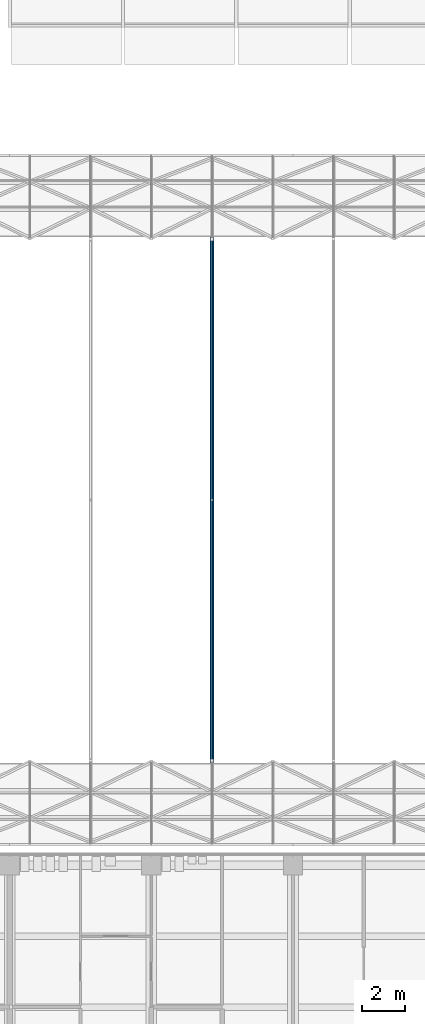
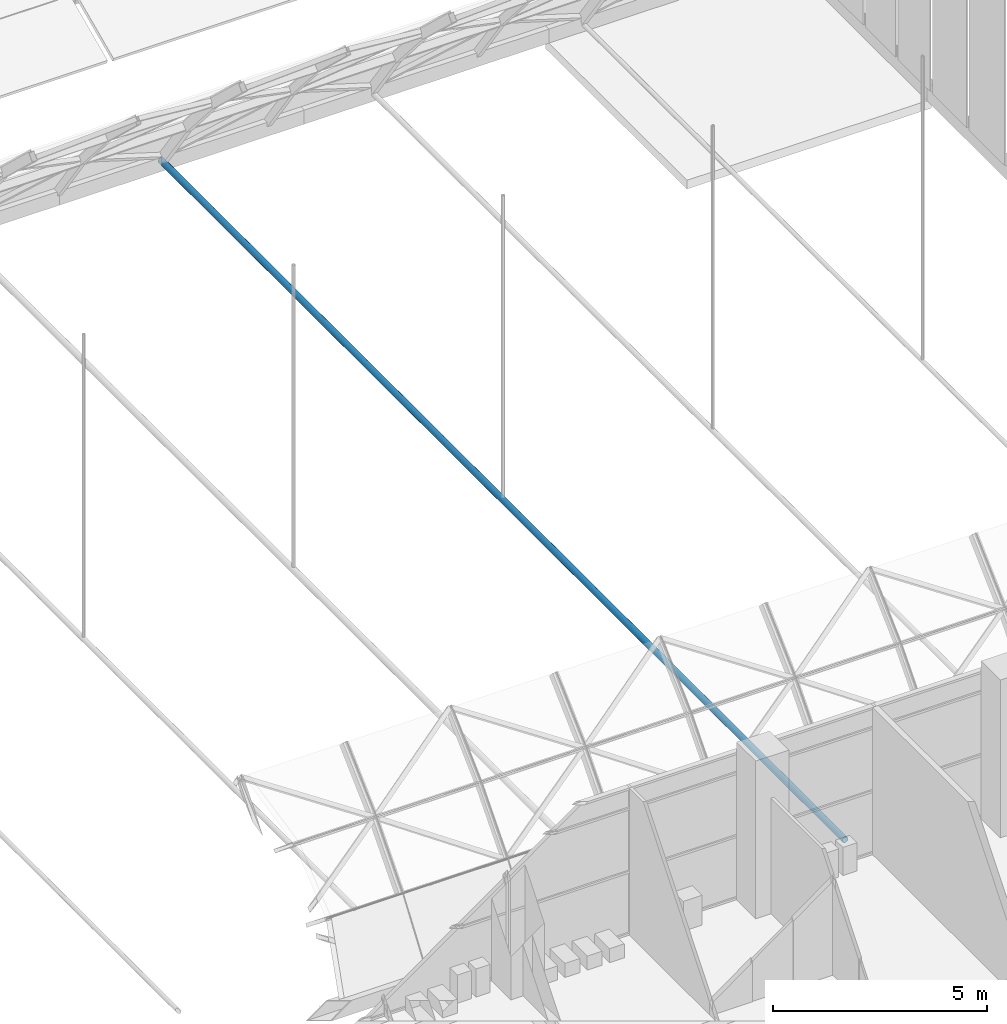
# One storey, part 25 of 109: 1 member.
"""IFC4 building model written with IfcOpenShell, lengths in metres."""

from ifc_helpers import new_model, si_unit, direction, frame, origin, origin_2d, place, context, subcontext, project, spatial, hollow_circle, extrude, material, material_profile, profile_set, type_object, element, save


model = new_model("IFC4")

# Units and contexts
model_context = context("Model", 3, precision=1e-05, world=origin(), true_north=direction((0.0, 1.0)))
body_context = subcontext(model_context, "Body", "Model", "MODEL_VIEW")
ifc_project = project(units=[si_unit("LENGTHUNIT", "METRE"), si_unit("AREAUNIT", "SQUARE_METRE"), si_unit("VOLUMEUNIT", "CUBIC_METRE"), si_unit("PLANEANGLEUNIT", "RADIAN"), si_unit("MASSUNIT", "GRAM", prefix="KILO")], contexts=[model_context])

# Site, building, storey
site_placement = place(None, origin())
site = spatial("IfcSite", under=ifc_project, at=site_placement, CompositionType="ELEMENT")
building_placement = place(site_placement, origin())
building = spatial("IfcBuilding", under=site, at=building_placement, Name="Lantern Court Research Institute", CompositionType="ELEMENT")
storey_placement = place(building_placement, frame((0.0, 0.0, 14.39990234375)))
storey = spatial("IfcBuildingStorey", under=building, at=storey_placement, Name="L03", CompositionType="ELEMENT", Elevation=14.39990234375)

# Member
ifc_material = material(Name="Structural steel S355", Category="steel")
ifc_material_profile = material_profile(ifc_material, hollow_circle(Radius=0.084228515625, WallThickness=0.010009765625, at=origin_2d()), Name="Gridshell central tie CHS 168.3 x 10")
ifc_profile_set = profile_set([ifc_material_profile], Name="Structural steel S355")
member_type = type_object("IfcMemberType", Name="Gridshell central tie CHS 168.3 x 10", PredefinedType="MEMBER", material=ifc_profile_set)
member_placement = place(storey_placement, frame((62.228515625, 24.14990234375, 0.2001953125), z_axis=(0.0, 1.0, 0.0), x_axis=(-1.0, 0.0, 0.0)))
element("IfcMember", 1, at=member_placement, inside=storey, type_object=member_type, Name="Gridshell tie", PredefinedType="MEMBER", context=body_context, shape_type="SweptSolid", body=[
    extrude(hollow_circle(Radius=0.084228515625, WallThickness=0.010009765625, at=origin_2d()), origin(), (0.0, 0.0, 1.0), 31.9501953125),
])

save(model, "model.ifc")
